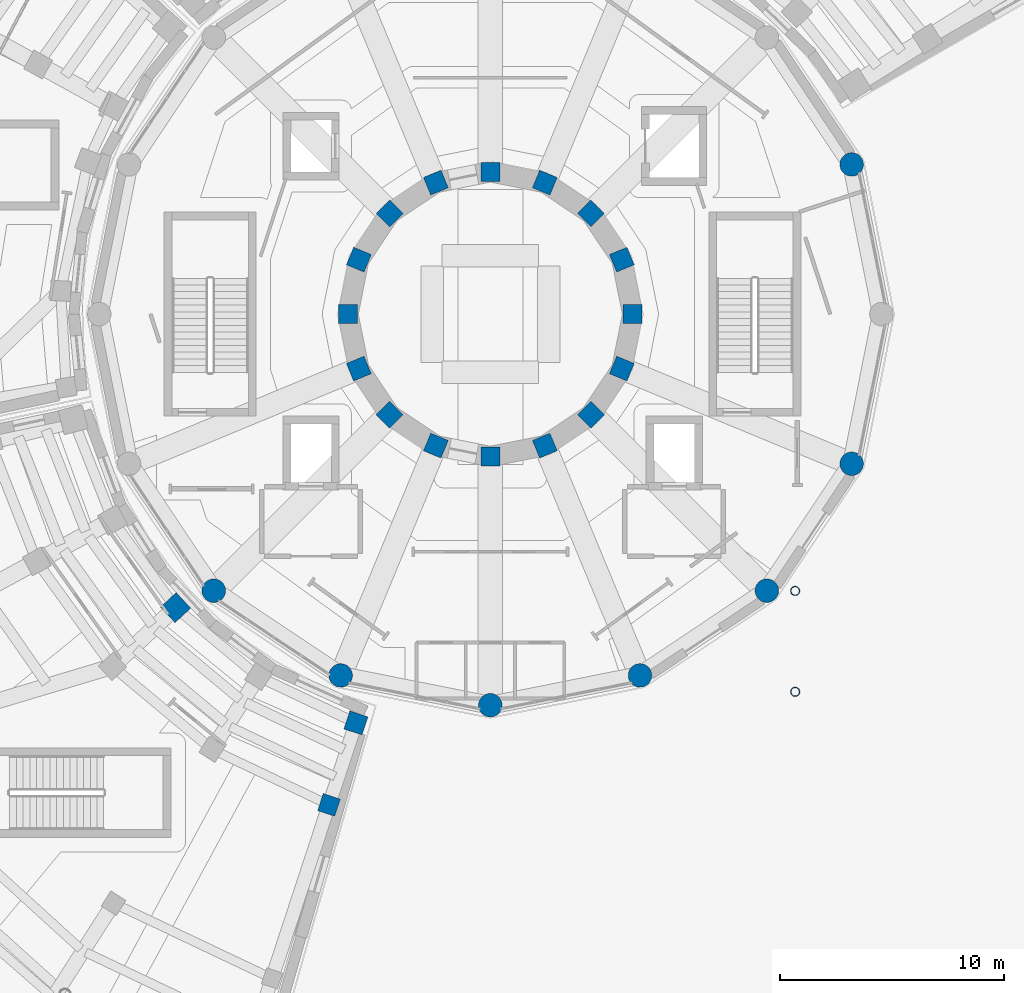
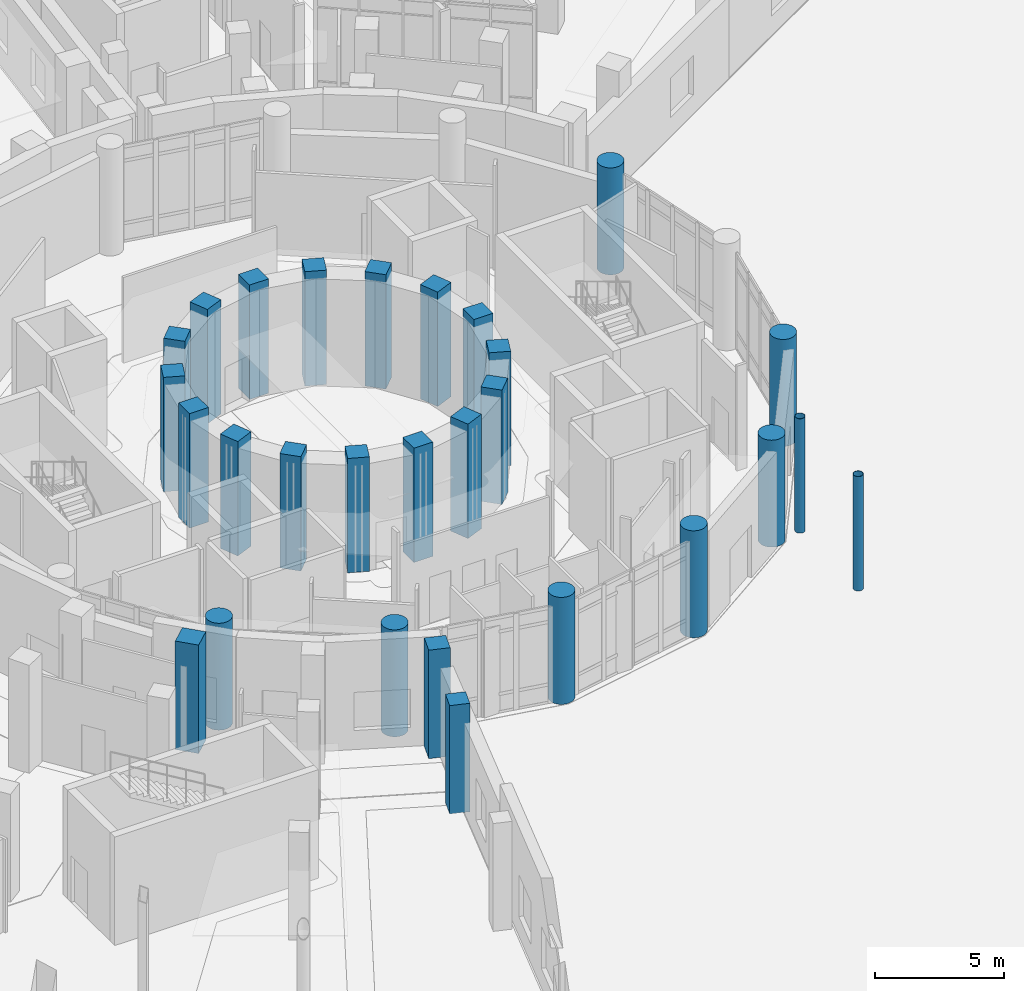
# One storey, part 3 of 74: 28 columns.
"""IFC4 building model written with IfcOpenShell, lengths in metres."""

import ifcopenshell
import ifcopenshell.guid

model = None  # the IFC model being written
_history = None  # IfcOwnerHistory: only IFC2X3 demands one
_inside = {}  # id of a spatial element -> (the spatial element, [elements in it])
_under = {}  # id of a project, library or spatial element -> (it, [spatial elements below it])
_declared = {}  # id of a project -> (the project, [libraries it declares])
_typed = {}  # id of a type object -> (the type object, [elements of that type])
_made_of = {}  # id of a material, layer set ... -> (it, [elements and type objects made of it])


def new_model(schema):
    """Start an empty IFC model of exactly this schema.

    Asked for "IFC4X3", IfcOpenShell would pick the latest addendum, in which some entities
    have other attributes; the version numbers below select the first issue.
    IFC2X3 requires an IfcOwnerHistory on every rooted entity: one is made here for all.
    """
    global model, _history
    if schema == "IFC4X3":
        model = ifcopenshell.file(schema_version=(4, 3, 0, 0))
    else:
        model = ifcopenshell.file(schema=schema)
    _inside.clear()
    _under.clear()
    _declared.clear()
    _typed.clear()
    _made_of.clear()
    _history = None
    if model.schema == "IFC2X3":
        org = make("IfcOrganization", Name="unknown")
        user = make(
            "IfcPersonAndOrganization",
            ThePerson=make("IfcPerson", FamilyName="unknown"),
            TheOrganization=org,
        )
        app = make(
            "IfcApplication",
            ApplicationDeveloper=org,
            Version="unknown",
            ApplicationFullName="unknown",
            ApplicationIdentifier="unknown",
        )
        _history = make(
            "IfcOwnerHistory",
            OwningUser=user,
            OwningApplication=app,
            ChangeAction="ADDED",
            CreationDate=0,
        )
    return model


def make(cls, **values):
    """One entity of the class cls with the attributes given. An attribute that is None is left unset."""
    return model.create_entity(
        cls, **{name: value for name, value in values.items() if value is not None}
    )


def rooted(cls, **values):
    """An entity with a GlobalId (a new one), such as an element, a storey or a relation."""
    return make(cls, GlobalId=ifcopenshell.guid.new(), OwnerHistory=_history, **values)


def si_unit(unit_type, name, prefix=None):
    """IfcSIUnit, for example si_unit("LENGTHUNIT", "METRE", prefix="MILLI")."""
    return make("IfcSIUnit", UnitType=unit_type, Prefix=prefix, Name=name)


def assignment(units):
    """IfcUnitAssignment: the units of a project."""
    return None if units is None else make("IfcUnitAssignment", Units=units)


def point(xyz):
    """IfcCartesianPoint."""
    return None if xyz is None else make("IfcCartesianPoint", Coordinates=xyz)


def direction(xyz):
    """IfcDirection."""
    return None if xyz is None else make("IfcDirection", DirectionRatios=xyz)


def frame(location, z_axis=None, x_axis=None):
    """IfcAxis2Placement3D, a coordinate frame: its origin and axes. An axis left out is left unset."""
    return make(
        "IfcAxis2Placement3D",
        Location=point(location),
        Axis=direction(z_axis),
        RefDirection=direction(x_axis),
    )


def frame_2d(location, x_axis=None):
    """IfcAxis2Placement2D, a coordinate frame in the plane: its origin and x axis."""
    return make(
        "IfcAxis2Placement2D", Location=point(location), RefDirection=direction(x_axis)
    )


def origin():
    """The frame at (0, 0, 0) with its axes left unset."""
    return frame((0.0, 0.0, 0.0))


def origin_2d():
    """The frame at (0, 0) in the plane with its x axis left unset."""
    return frame_2d((0.0, 0.0))


def place(relative_to, where):
    """IfcLocalPlacement: puts the frame where relative to a parent placement (None: the world)."""
    return make(
        "IfcLocalPlacement", PlacementRelTo=relative_to, RelativePlacement=where
    )


def context(
    kind, dimensions, precision=None, world=None, true_north=None, identifier=None
):
    """IfcGeometricRepresentationContext, for example the 3D "Model" context."""
    return make(
        "IfcGeometricRepresentationContext",
        ContextIdentifier=identifier,
        ContextType=kind,
        CoordinateSpaceDimension=dimensions,
        Precision=precision,
        WorldCoordinateSystem=world,
        TrueNorth=true_north,
    )


def subcontext(parent, identifier, kind, view, scale=None):
    """IfcGeometricRepresentationSubContext, for example "Body" below "Model"."""
    return make(
        "IfcGeometricRepresentationSubContext",
        ContextIdentifier=identifier,
        ContextType=kind,
        ParentContext=parent,
        TargetScale=scale,
        TargetView=view,
    )


def project(units=None, contexts=None):
    """IfcProject with its units and contexts."""
    return rooted(
        "IfcProject",
        Name="project",
        RepresentationContexts=contexts,
        UnitsInContext=assignment(units),
    )


def spatial(cls, under=None, at=None, **own):
    """A site, building, storey or space (cls), placed at a placement, below another one or the project."""
    s = rooted(cls, ObjectPlacement=at, **own)
    if under is not None:
        _under.setdefault(under.id(), (under, []))[1].append(s)
    return s


def profile(cls, at=None, kind="AREA", **sizes):
    """A parametric profile (cls). Its sizes go by their IFC names, for example OverallWidth=200.0."""
    return make(cls, ProfileType=kind, Position=at, **sizes)


def rectangle(**sizes):
    """IfcRectangleProfileDef."""
    return profile("IfcRectangleProfileDef", **sizes)


def circle(**sizes):
    """IfcCircleProfileDef."""
    return profile("IfcCircleProfileDef", **sizes)


def hollow_circle(**sizes):
    """IfcCircleHollowProfileDef."""
    return profile("IfcCircleHollowProfileDef", **sizes)


def extrude(swept, where, along, depth):
    """IfcExtrudedAreaSolid: the profile swept, set in the frame where, extruded along a direction by depth."""
    return make(
        "IfcExtrudedAreaSolid",
        SweptArea=swept,
        Position=where,
        ExtrudedDirection=direction(along),
        Depth=depth,
    )


def shape(context_of_items, identifier, shape_type, items):
    """IfcShapeRepresentation: the items that make up one representation, for example the "Body"."""
    return make(
        "IfcShapeRepresentation",
        ContextOfItems=context_of_items,
        RepresentationIdentifier=identifier,
        RepresentationType=shape_type,
        Items=items,
    )


def material(Name=None, Category=None):
    """IfcMaterial."""
    return make("IfcMaterial", Name=Name, Category=Category)


def material_profile(
    of_material, cross_section, Name=None, Category=None, Priority=None
):
    """IfcMaterialProfile: a cross section and its material."""
    return make(
        "IfcMaterialProfile",
        Name=Name,
        Material=of_material,
        Profile=cross_section,
        Priority=Priority,
        Category=Category,
    )


def profile_set(profiles, Name=None, composite=None):
    """IfcMaterialProfileSet."""
    return make(
        "IfcMaterialProfileSet",
        Name=Name,
        MaterialProfiles=profiles,
        CompositeProfile=composite,
    )


def made_of(thing, what):
    """Note that an element or type object is made of a material, layer set ...; save() writes the relation."""
    if what is not None:
        _made_of.setdefault(what.id(), (what, []))[1].append(thing)
    return thing


def type_object(cls, material=None, **own):
    """A type object (cls), such as IfcWallType, which elements share."""
    return made_of(rooted(cls, **own), material)


def element(
    cls,
    number,
    at=None,
    inside=None,
    cuts=None,
    type_object=None,
    material=None,
    context=None,
    identifier="Body",
    shape_type=None,
    held_by="IfcProductDefinitionShape",
    body=None,
    shapes=None,
    **own,
):
    """One element of the class cls, such as IfcWall. Its Tag is "e" and its number.

    at: its placement. inside: the storey or other place that contains it. cuts: it is an
    opening in that element (IfcRelVoidsElement). A single representation is given by context,
    identifier, shape_type and body (its items); several are given by shapes. held_by: the class
    of the entity that holds the representations. save() writes the other relations.
    """
    e = rooted(cls, Tag="e%d" % number, ObjectPlacement=at, **own)
    if body is not None:
        shapes = [shape(context, identifier, shape_type, body)]
    if shapes is not None:
        e.Representation = make(held_by, Representations=shapes)
    if inside is not None:
        _inside.setdefault(inside.id(), (inside, []))[1].append(e)
    if cuts is not None:
        rooted(
            "IfcRelVoidsElement", RelatingBuildingElement=cuts, RelatedOpeningElement=e
        )
    if type_object is not None:
        _typed.setdefault(type_object.id(), (type_object, []))[1].append(e)
    return made_of(e, material)


def aggregate(whole, parts):
    """IfcRelAggregates: a whole, such as a stair, and the parts it consists of."""
    return rooted("IfcRelAggregates", RelatingObject=whole, RelatedObjects=parts)


def save(model, path):
    """Write the relations noted so far, then the file.

    IfcRelAggregates (storeys below a building ...), IfcRelContainedInSpatialStructure (elements
    in a storey), IfcRelDefinesByType, IfcRelAssociatesMaterial and IfcRelDeclares: one each for
    every whole, place, type object, material and project.
    """
    for whole, parts in _under.values():
        aggregate(whole, parts)
    for where, things in _inside.values():
        rooted(
            "IfcRelContainedInSpatialStructure",
            RelatedElements=things,
            RelatingStructure=where,
        )
    for kind, things in _typed.values():
        rooted("IfcRelDefinesByType", RelatedObjects=things, RelatingType=kind)
    for what, things in _made_of.values():
        rooted("IfcRelAssociatesMaterial", RelatedObjects=things, RelatingMaterial=what)
    for by, libraries in _declared.values():
        rooted("IfcRelDeclares", RelatingContext=by, RelatedDefinitions=libraries)
    model.write(path)


model = new_model("IFC4")

# Units and contexts
model_context = context("Model", 3, precision=1e-05, world=origin(), true_north=direction((0.0, 1.0)))
body_context = subcontext(model_context, "Body", "Model", "MODEL_VIEW")
ifc_project = project(units=[si_unit("LENGTHUNIT", "METRE"), si_unit("AREAUNIT", "SQUARE_METRE"), si_unit("VOLUMEUNIT", "CUBIC_METRE"), si_unit("PLANEANGLEUNIT", "RADIAN"), si_unit("MASSUNIT", "GRAM", prefix="KILO")], contexts=[model_context])

# Site, building, storey
site_placement = place(None, origin())
site = spatial("IfcSite", under=ifc_project, at=site_placement, CompositionType="ELEMENT")
building_placement = place(site_placement, origin())
building = spatial("IfcBuilding", under=site, at=building_placement, Name="Soyqirgoq Riverine Aquarium", CompositionType="ELEMENT")
storey_placement = place(building_placement, origin())
storey = spatial("IfcBuildingStorey", under=building, at=storey_placement, Name="L01", CompositionType="ELEMENT", Elevation=0.0)

# Columns
ifc_material_1 = material(Name="Concrete C40/50", Category="concrete")
ifc_material_profile_1 = material_profile(ifc_material_1, circle(Radius=0.52490234375, at=origin_2d()), Name="RC-COL D1050")
ifc_profile_set_1 = profile_set([ifc_material_profile_1], Name="Concrete C40/50")
column_type_1 = type_object("IfcColumnType", Name="Col_Circ_D1050", PredefinedType="COLUMN", material=ifc_profile_set_1)
for number, where, z_axis, x_axis, name in (
    (1, (72.12158203125, 63.677734375, 0.0), (0.0, 0.0, 1.0), (0.923879532511, 0.382683432365, 0.0), "V1 Column V1-CO02 L01"),
    (2, (43.660888671875, 44.660888671875, 0.0), (0.0, 0.0, 1.0), (-0.707106781187, -0.707106781187, 0.0), "V1 Column V1-CO11 L01"),
    (3, (49.322265625, 40.87841796875, 0.0), (0.0, 0.0, 1.0), (-0.382683432365, -0.923879532511, 0.0), "V1 Column V1-CO12 L01"),
    (4, (56.0, 39.550048828125, 0.0), (0.0, 0.0, 1.0), (0.0, -1.0, 0.0), "V1 Column V1-CO13 L01"),
    (5, (62.677734375, 40.87841796875, 0.0), (0.0, 0.0, 1.0), (0.382683432365, -0.923879532511, 0.0), "V1 Column V1-CO14 L01"),
    (6, (68.339111328125, 44.660888671875, 0.0), (0.0, 0.0, 1.0), (0.707106781187, -0.707106781187, 0.0), "V1 Column V1-CO15 L01"),
    (7, (72.12158203125, 50.322265625, 0.0), (0.0, 0.0, 1.0), (0.923879532511, -0.382683432365, 0.0), "V1 Column V1-CO16 L01"),
):
    element("IfcColumn", number, at=place(storey_placement, frame(where, z_axis=z_axis, x_axis=x_axis)), inside=storey, type_object=column_type_1, Name=name, PredefinedType="COLUMN", context=body_context, shape_type="SweptSolid", body=[
        extrude(circle(Radius=0.52490234375, at=origin_2d()), origin(), (0.0, 0.0, 1.0), 5.050048828125),
    ])
ifc_material_2 = material(Name="Concrete C40/50", Category="concrete")
ifc_material_profile_2 = material_profile(ifc_material_2, rectangle(XDim=0.800048828125, YDim=0.800048828125, at=origin_2d()), Name="RC 800x800")
ifc_profile_set_2 = profile_set([ifc_material_profile_2], Name="Concrete C40/50")
column_type_2 = type_object("IfcColumnType", Name="Col_RC_800x800", PredefinedType="COLUMN", material=ifc_profile_set_2)
column_1_placement = place(storey_placement, frame((48.80078125, 35.10302734375, 0.0), z_axis=(0.0, 0.0, 1.0), x_axis=(-0.312334918512, -0.949972051525, 0.0)))
element("IfcColumn", 8, at=column_1_placement, inside=storey, type_object=column_type_2, Name="V2 Column V2-CR2-05 L01", PredefinedType="COLUMN", context=body_context, shape_type="SweptSolid", body=[
    extrude(rectangle(XDim=0.800048828125, YDim=0.800048828125, at=origin_2d()), origin(), (0.0, 0.0, 1.0), 5.1201171875),
])
ifc_material_3 = material(Name="Concrete C40/50", Category="concrete")
ifc_material_profile_3 = material_profile(ifc_material_3, rectangle(XDim=0.85009765625, YDim=0.85009765625, at=origin_2d()), Name="RC 850x850")
ifc_profile_set_3 = profile_set([ifc_material_profile_3], Name="Concrete C40/50")
column_type_3 = type_object("IfcColumnType", Name="Col_RC_850x850", PredefinedType="COLUMN", material=ifc_profile_set_3)
for number, where, z_axis, x_axis, name in (
    (9, (62.35009765625, 57.0, 0.0), (0.0, 0.0, 1.0), (1.0, 0.0, 0.0), "V1 Column V1-CT01 L01"),
    (10, (61.86669921875, 59.429931640625, 0.0), (0.0, 0.0, 1.0), (0.923879532511, 0.382683432365, 0.0), "V1 Column V1-CT02 L01"),
    (11, (60.489990234375, 61.489990234375, 0.0), (0.0, 0.0, 1.0), (0.707106781187, 0.707106781187, 0.0), "V1 Column V1-CT03 L01"),
    (12, (58.429931640625, 62.86669921875, 0.0), (0.0, 0.0, 1.0), (0.382683432365, 0.923879532511, 0.0), "V1 Column V1-CT04 L01"),
    (13, (56.0, 63.35009765625, 0.0), (0.0, 0.0, 1.0), (0.0, 1.0, 0.0), "V1 Column V1-CT05 L01"),
    (14, (53.570068359375, 62.86669921875, 0.0), (0.0, 0.0, 1.0), (-0.382683432365, 0.923879532511, 0.0), "V1 Column V1-CT06 L01"),
    (15, (51.510009765625, 61.489990234375, 0.0), (0.0, 0.0, 1.0), (-0.707106781187, 0.707106781187, 0.0), "V1 Column V1-CT07 L01"),
    (16, (50.13330078125, 59.429931640625, 0.0), (0.0, 0.0, 1.0), (-0.923879532511, 0.382683432365, 0.0), "V1 Column V1-CT08 L01"),
    (17, (49.64990234375, 57.0, 0.0), (0.0, 0.0, 1.0), (-1.0, 0.0, 0.0), "V1 Column V1-CT09 L01"),
    (18, (50.13330078125, 54.570068359375, 0.0), (0.0, 0.0, 1.0), (-0.923879532511, -0.382683432365, 0.0), "V1 Column V1-CT10 L01"),
    (19, (51.510009765625, 52.510009765625, 0.0), (0.0, 0.0, 1.0), (-0.707106781187, -0.707106781187, 0.0), "V1 Column V1-CT11 L01"),
    (20, (53.570068359375, 51.13330078125, 0.0), (0.0, 0.0, 1.0), (-0.382683432365, -0.923879532511, 0.0), "V1 Column V1-CT12 L01"),
    (21, (56.0, 50.64990234375, 0.0), (0.0, 0.0, 1.0), (0.0, -1.0, 0.0), "V1 Column V1-CT13 L01"),
    (22, (58.429931640625, 51.13330078125, 0.0), (0.0, 0.0, 1.0), (0.382683432365, -0.923879532511, 0.0), "V1 Column V1-CT14 L01"),
    (23, (60.489990234375, 52.510009765625, 0.0), (0.0, 0.0, 1.0), (0.707106781187, -0.707106781187, 0.0), "V1 Column V1-CT15 L01"),
    (24, (61.86669921875, 54.570068359375, 0.0), (0.0, 0.0, 1.0), (0.923879532511, -0.382683432365, 0.0), "V1 Column V1-CT16 L01"),
):
    element("IfcColumn", number, at=place(storey_placement, frame(where, z_axis=z_axis, x_axis=x_axis)), inside=storey, type_object=column_type_3, Name=name, PredefinedType="COLUMN", context=body_context, shape_type="SweptSolid", body=[
        extrude(rectangle(XDim=0.85009765625, YDim=0.85009765625, at=origin_2d()), origin(), (0.0, 0.0, 1.0), 5.39990234375),
    ])
column_2_placement = place(storey_placement, frame((50.003173828125, 38.760498046875, 0.0), z_axis=(0.0, 0.0, 1.0), x_axis=(-0.312334918512, -0.949972051525, 0.0)))
element("IfcColumn", 25, at=column_2_placement, inside=storey, type_object=column_type_3, Name="V2 Column V2-CR1-05 L01", PredefinedType="COLUMN", context=body_context, shape_type="SweptSolid", body=[
    extrude(rectangle(XDim=0.85009765625, YDim=0.85009765625, at=origin_2d()), origin(), (0.0, 0.0, 1.0), 5.1201171875),
])
ifc_material_4 = material(Name="Concrete C40/50", Category="concrete")
ifc_material_profile_4 = material_profile(ifc_material_4, rectangle(XDim=0.949951171875, YDim=0.949951171875, at=origin_2d()), Name="RC 950x950")
ifc_profile_set_4 = profile_set([ifc_material_profile_4], Name="Concrete C40/50")
column_type_4 = type_object("IfcColumnType", Name="Col_RC_950x950", PredefinedType="COLUMN", material=ifc_profile_set_4)
column_3_placement = place(storey_placement, frame((41.9580078125, 43.905517578125, 0.0), z_axis=(0.0, 0.0, 1.0), x_axis=(-0.731353701619, -0.681998360062, 0.0)))
element("IfcColumn", 26, at=column_3_placement, inside=storey, type_object=column_type_4, Name="V2 Column V2-CR1-03 L01", PredefinedType="COLUMN", context=body_context, shape_type="SweptSolid", body=[
    extrude(rectangle(XDim=0.949951171875, YDim=0.949951171875, at=origin_2d()), origin(), (0.0, 0.0, 1.0), 5.1201171875),
])
ifc_material_5 = material(Name="Structural steel S355", Category="steel")
ifc_material_profile_5 = material_profile(ifc_material_5, hollow_circle(Radius=0.203125, WallThickness=0.01611328125, at=origin_2d()), Name="CHS 406.4x16")
ifc_profile_set_5 = profile_set([ifc_material_profile_5], Name="Structural steel S355")
column_type_5 = type_object("IfcColumnType", Name="Col_Steel_CHS406", PredefinedType="COLUMN", material=ifc_profile_set_5)
for number, where, z_axis, x_axis, name in (
    (27, (69.60009765625, 40.14990234375, 0.0), (0.0, 0.0, 1.0), (1.0, 0.0, 0.0), "Bridge Pier Column BR-1-CP-69-S L01"),
    (28, (69.60009765625, 44.64990234375, 0.0), (0.0, 0.0, 1.0), (1.0, 0.0, 0.0), "Bridge Pier Column BR-1-CP-69-N L01"),
):
    element("IfcColumn", number, at=place(storey_placement, frame(where, z_axis=z_axis, x_axis=x_axis)), inside=storey, type_object=column_type_5, Name=name, PredefinedType="COLUMN", context=body_context, shape_type="SweptSolid", body=[
        extrude(hollow_circle(Radius=0.203125, WallThickness=0.01611328125, at=origin_2d()), origin(), (0.0, 0.0, 1.0), 5.39990234375),
    ])

save(model, "model.ifc")
